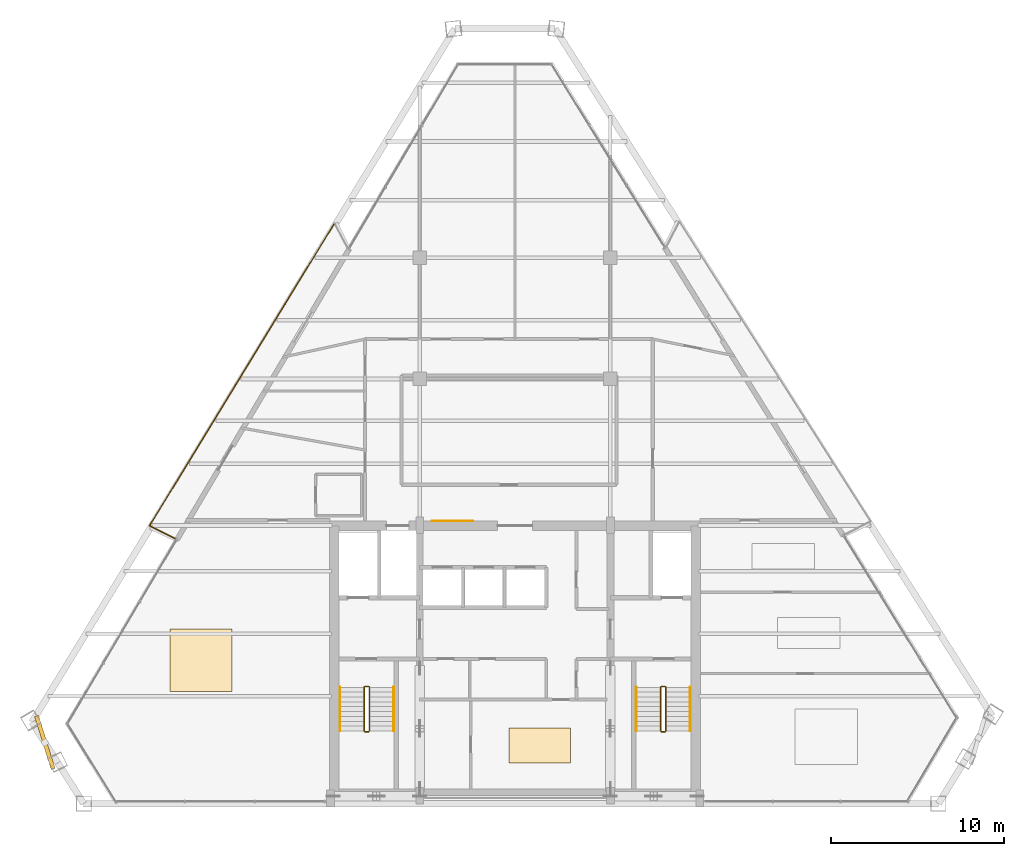
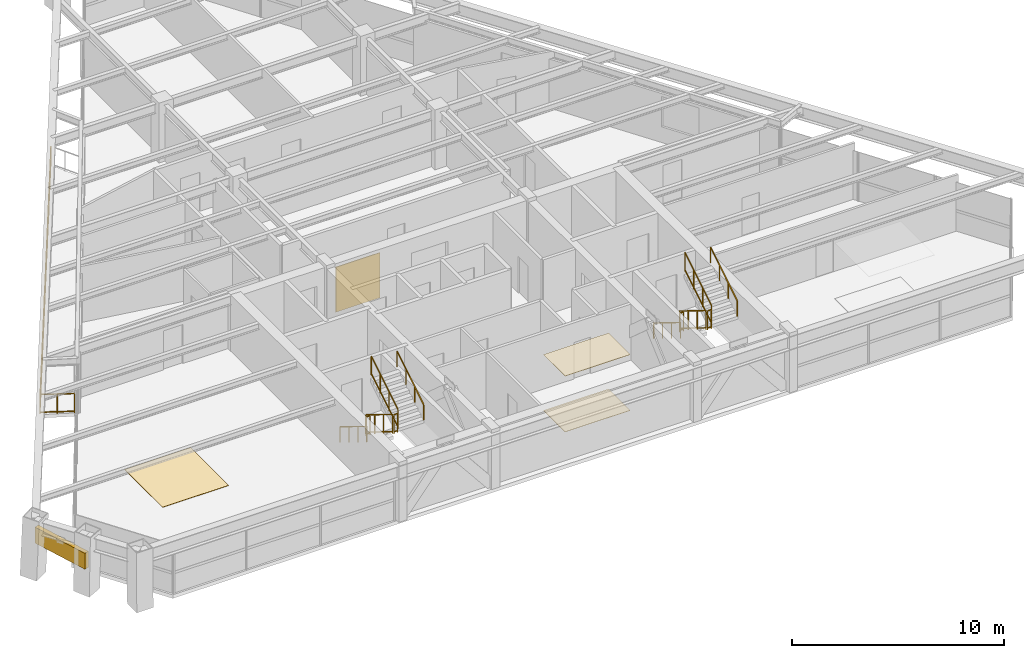
# One storey, part 11 of 12: 14 railings, 4 coverings, 1 shading device.
"""IFC4 building model written with IfcOpenShell, lengths in metres."""

from ifc_helpers import new_model, si_unit, direction, frame, origin, origin_2d, place, context, subcontext, project, spatial, rectangle, extrude, source, transform, mapped, material, layer, layer_set, type_object, type_shapes, element, save


model = new_model("IFC4")

# Units and contexts
model_context = context("Model", 3, precision=1e-05, world=origin(), true_north=direction((0.0, 1.0)))
body_context = subcontext(model_context, "Body", "Model", "MODEL_VIEW")
ifc_project = project(units=[si_unit("LENGTHUNIT", "METRE"), si_unit("AREAUNIT", "SQUARE_METRE"), si_unit("VOLUMEUNIT", "CUBIC_METRE"), si_unit("PLANEANGLEUNIT", "RADIAN"), si_unit("MASSUNIT", "GRAM", prefix="KILO")], contexts=[model_context])

# Site, building, storey
site_placement = place(None, origin())
site = spatial("IfcSite", under=ifc_project, at=site_placement, CompositionType="ELEMENT")
building_placement = place(site_placement, origin())
building = spatial("IfcBuilding", under=site, at=building_placement, Name="Varnakhor Terracotta Tower", CompositionType="ELEMENT")
storey_placement = place(building_placement, frame((0.0, 0.0, 233.800048828125)))
storey = spatial("IfcBuildingStorey", under=building, at=storey_placement, Name="L60", CompositionType="ELEMENT", Elevation=233.800048828125)

# Railings
ifc_material_1 = material(Name="Stainless Steel & Laminated Glass Guardrail", Category="steel")
railing_type_1 = type_object("IfcRailingType", Name="RLG-LOGGIA-GUARD-1150", PredefinedType="GUARDRAIL", material=ifc_material_1)
railing_1_placement = place(storey_placement, frame((-19.62939453125, 15.2900390625, 0.0)))
element("IfcRailing", 1, at=railing_1_placement, inside=storey, type_object=railing_type_1, Name="L60 W Loggia Glass Guard 1", PredefinedType="GUARDRAIL", context=body_context, shape_type="SweptSolid", body=[
    extrude(rectangle(XDim=0.048095703125, YDim=0.048095703125, at=origin_2d()), frame((0.0, 0.0, 1.1259765625), z_axis=(-0.890384865119, 0.455208514823, 0.0), x_axis=(-0.455208514823, -0.890384865119, 0.0)), (0.0, 0.0, 1.0), 1.633056640625),
    extrude(rectangle(XDim=0.048095703125, YDim=0.048095703125, at=origin_2d()), frame((0.0, 0.0, 0.10009765625), z_axis=(-0.890384865119, 0.455208514823, 0.0), x_axis=(-0.455208514823, -0.890384865119, 0.0)), (0.0, 0.0, 1.0), 1.633056640625),
    extrude(rectangle(XDim=0.0419921875, YDim=0.0419921875, at=origin_2d()), origin(), (0.0, 0.0, 1.0), 1.101806640625),
    extrude(rectangle(XDim=0.0419921875, YDim=0.0419921875, at=origin_2d()), frame((-0.72705078125, 0.37158203125, 0.0)), (0.0, 0.0, 1.0), 1.101806640625),
    extrude(rectangle(XDim=0.0419921875, YDim=0.0419921875, at=origin_2d()), frame((-1.4541015625, 0.743408203125, 0.0)), (0.0, 0.0, 1.0), 1.101806640625),
])
railing_2_placement = place(storey_placement, frame((-21.08349609375, 16.033447265625, 0.0)))
element("IfcRailing", 2, at=railing_2_placement, inside=storey, type_object=railing_type_1, Name="L60 W Loggia Glass Guard 2", PredefinedType="GUARDRAIL", context=body_context, shape_type="SweptSolid", body=[
    extrude(rectangle(XDim=0.048095703125, YDim=0.048095703125, at=origin_2d()), frame((0.0, 0.0, 1.1259765625), z_axis=(0.521491543946, 0.853256450074, 0.0), x_axis=(-0.853256450074, 0.521491543946, 0.0)), (0.0, 0.0, 1.0), 20.447265625),
    extrude(rectangle(XDim=0.048095703125, YDim=0.048095703125, at=origin_2d()), frame((0.0, 0.0, 0.10009765625), z_axis=(0.521491543946, 0.853256450074, 0.0), x_axis=(-0.853256450074, 0.521491543946, 0.0)), (0.0, 0.0, 1.0), 20.447265625),
    extrude(rectangle(XDim=0.0419921875, YDim=0.0419921875, at=origin_2d()), origin(), (0.0, 0.0, 1.0), 1.101806640625),
    extrude(rectangle(XDim=0.0419921875, YDim=0.0419921875, at=origin_2d()), frame((0.7109375, 1.1630859375, 0.0)), (0.0, 0.0, 1.0), 1.101806640625),
    extrude(rectangle(XDim=0.0419921875, YDim=0.0419921875, at=origin_2d()), frame((1.421630859375, 2.326171875, 0.0)), (0.0, 0.0, 1.0), 1.101806640625),
    extrude(rectangle(XDim=0.0419921875, YDim=0.0419921875, at=origin_2d()), frame((2.132568359375, 3.4892578125, 0.0)), (0.0, 0.0, 1.0), 1.101806640625),
    extrude(rectangle(XDim=0.0419921875, YDim=0.0419921875, at=origin_2d()), frame((2.843505859375, 4.652587890625, 0.0)), (0.0, 0.0, 1.0), 1.101806640625),
    extrude(rectangle(XDim=0.0419921875, YDim=0.0419921875, at=origin_2d()), frame((3.554443359375, 5.815673828125, 0.0)), (0.0, 0.0, 1.0), 1.101806640625),
    extrude(rectangle(XDim=0.0419921875, YDim=0.0419921875, at=origin_2d()), frame((4.26513671875, 6.978759765625, 0.0)), (0.0, 0.0, 1.0), 1.101806640625),
    extrude(rectangle(XDim=0.0419921875, YDim=0.0419921875, at=origin_2d()), frame((4.97607421875, 8.141845703125, 0.0)), (0.0, 0.0, 1.0), 1.101806640625),
    extrude(rectangle(XDim=0.0419921875, YDim=0.0419921875, at=origin_2d()), frame((5.68701171875, 9.304931640625, 0.0)), (0.0, 0.0, 1.0), 1.101806640625),
    extrude(rectangle(XDim=0.0419921875, YDim=0.0419921875, at=origin_2d()), frame((6.39794921875, 10.468017578125, 0.0)), (0.0, 0.0, 1.0), 1.101806640625),
    extrude(rectangle(XDim=0.0419921875, YDim=0.0419921875, at=origin_2d()), frame((7.108642578125, 11.631103515625, 0.0)), (0.0, 0.0, 1.0), 1.101806640625),
    extrude(rectangle(XDim=0.0419921875, YDim=0.0419921875, at=origin_2d()), frame((7.819580078125, 12.794189453125, 0.0)), (0.0, 0.0, 1.0), 1.101806640625),
    extrude(rectangle(XDim=0.0419921875, YDim=0.0419921875, at=origin_2d()), frame((8.530517578125, 13.95751953125, 0.0)), (0.0, 0.0, 1.0), 1.101806640625),
    extrude(rectangle(XDim=0.0419921875, YDim=0.0419921875, at=origin_2d()), frame((9.241455078125, 15.12060546875, 0.0)), (0.0, 0.0, 1.0), 1.101806640625),
    extrude(rectangle(XDim=0.0419921875, YDim=0.0419921875, at=origin_2d()), frame((9.9521484375, 16.28369140625, 0.0)), (0.0, 0.0, 1.0), 1.101806640625),
    extrude(rectangle(XDim=0.0419921875, YDim=0.0419921875, at=origin_2d()), frame((10.6630859375, 17.44677734375, 0.0)), (0.0, 0.0, 1.0), 1.101806640625),
])
ifc_material_2 = material(Name="Painted Steel Stairwell Guardrail", Category="steel")
railing_type_2 = type_object("IfcRailingType", Name="RLG-STAIR-GUARD-1120", PredefinedType="GUARDRAIL", material=ifc_material_2)
railing_3_placement = place(storey_placement, frame((-8.699951171875, 6.7099609375, 0.17236328125)))
element("IfcRailing", 3, at=railing_3_placement, inside=storey, type_object=railing_type_2, Name="L60 ST-1 stair guard 1", PredefinedType="GUARDRAIL", context=body_context, shape_type="SweptSolid", body=[
    extrude(rectangle(XDim=0.048095703125, YDim=0.048095703125, at=origin_2d()), frame((0.0, 0.0, 1.09619140625), z_axis=(0.0, -0.851400495292, 0.524516154772), x_axis=(1.0, 0.0, 0.0)), (0.0, 0.0, 1.0), 2.9599609375),
    extrude(rectangle(XDim=0.048095703125, YDim=0.048095703125, at=origin_2d()), frame((0.0, 0.0, 0.10009765625), z_axis=(0.0, -0.851400495292, 0.524516154772), x_axis=(1.0, 0.0, 0.0)), (0.0, 0.0, 1.0), 2.9599609375),
    extrude(rectangle(XDim=0.0419921875, YDim=0.0419921875, at=origin_2d()), origin(), (0.0, 0.0, 1.0), 1.072021484375),
    extrude(rectangle(XDim=0.0419921875, YDim=0.0419921875, at=origin_2d()), frame((0.0, -0.840087890625, 0.517578125)), (0.0, 0.0, 1.0), 1.072021484375),
    extrude(rectangle(XDim=0.0419921875, YDim=0.0419921875, at=origin_2d()), frame((0.0, -1.679931640625, 1.034912109375)), (0.0, 0.0, 1.0), 1.072021484375),
    extrude(rectangle(XDim=0.0419921875, YDim=0.0419921875, at=origin_2d()), frame((0.0, -2.52001953125, 1.552490234375)), (0.0, 0.0, 1.0), 1.072021484375),
])
railing_4_placement = place(storey_placement, frame((-8.64990234375, 4.139892578125, 1.724853515625)))
element("IfcRailing", 4, at=railing_4_placement, inside=storey, type_object=railing_type_2, Name="L60 ST-1 stair guard 2", PredefinedType="GUARDRAIL", context=body_context, shape_type="SweptSolid", body=[
    extrude(rectangle(XDim=0.048095703125, YDim=0.048095703125, at=origin_2d()), frame((0.0, 0.0, 1.09619140625), z_axis=(1.0, 0.0, 0.0), x_axis=(0.0, 1.0, 0.0)), (0.0, 0.0, 1.0), 0.199951171875),
    extrude(rectangle(XDim=0.048095703125, YDim=0.048095703125, at=origin_2d()), frame((0.0, 0.0, 0.10009765625), z_axis=(1.0, 0.0, 0.0), x_axis=(0.0, 1.0, 0.0)), (0.0, 0.0, 1.0), 0.199951171875),
    extrude(rectangle(XDim=0.0419921875, YDim=0.0419921875, at=origin_2d()), origin(), (0.0, 0.0, 1.0), 1.072021484375),
    extrude(rectangle(XDim=0.0419921875, YDim=0.0419921875, at=origin_2d()), frame((0.199951171875, 0.0, 0.0)), (0.0, 0.0, 1.0), 1.072021484375),
])
railing_5_placement = place(storey_placement, frame((-8.39990234375, 4.18994140625, 1.8974609375)))
element("IfcRailing", 5, at=railing_5_placement, inside=storey, type_object=railing_type_2, Name="L60 ST-1 stair guard 3", PredefinedType="GUARDRAIL", context=body_context, shape_type="SweptSolid", body=[
    extrude(rectangle(XDim=0.048095703125, YDim=0.048095703125, at=origin_2d()), frame((0.0, 0.0, 1.09619140625), z_axis=(0.0, 0.851400495292, 0.524516154772), x_axis=(-1.0, 0.0, 0.0)), (0.0, 0.0, 1.0), 2.9599609375),
    extrude(rectangle(XDim=0.048095703125, YDim=0.048095703125, at=origin_2d()), frame((0.0, 0.0, 0.10009765625), z_axis=(0.0, 0.851400495292, 0.524516154772), x_axis=(-1.0, 0.0, 0.0)), (0.0, 0.0, 1.0), 2.9599609375),
    extrude(rectangle(XDim=0.0419921875, YDim=0.0419921875, at=origin_2d()), origin(), (0.0, 0.0, 1.0), 1.072021484375),
    extrude(rectangle(XDim=0.0419921875, YDim=0.0419921875, at=origin_2d()), frame((0.0, 0.840087890625, 0.517578125)), (0.0, 0.0, 1.0), 1.072021484375),
    extrude(rectangle(XDim=0.0419921875, YDim=0.0419921875, at=origin_2d()), frame((0.0, 1.679931640625, 1.034912109375)), (0.0, 0.0, 1.0), 1.072021484375),
    extrude(rectangle(XDim=0.0419921875, YDim=0.0419921875, at=origin_2d()), frame((0.0, 2.52001953125, 1.552490234375)), (0.0, 0.0, 1.0), 1.072021484375),
])
railing_6_placement = place(storey_placement, frame((-8.64990234375, 6.760009765625, 0.0)))
element("IfcRailing", 6, at=railing_6_placement, inside=storey, type_object=railing_type_2, Name="L60 ST-1 stair guard 4", PredefinedType="GUARDRAIL", context=body_context, shape_type="SweptSolid", body=[
    extrude(rectangle(XDim=0.048095703125, YDim=0.048095703125, at=origin_2d()), frame((0.0, 0.0, 1.09619140625), z_axis=(1.0, 0.0, 0.0), x_axis=(0.0, 1.0, 0.0)), (0.0, 0.0, 1.0), 0.199951171875),
    extrude(rectangle(XDim=0.048095703125, YDim=0.048095703125, at=origin_2d()), frame((0.0, 0.0, 0.10009765625), z_axis=(1.0, 0.0, 0.0), x_axis=(0.0, 1.0, 0.0)), (0.0, 0.0, 1.0), 0.199951171875),
    extrude(rectangle(XDim=0.0419921875, YDim=0.0419921875, at=origin_2d()), origin(), (0.0, 0.0, 1.0), 1.072021484375),
    extrude(rectangle(XDim=0.0419921875, YDim=0.0419921875, at=origin_2d()), frame((0.199951171875, 0.0, 0.0)), (0.0, 0.0, 1.0), 1.072021484375),
])
railing_7_placement = place(storey_placement, frame((8.39990234375, 6.7099609375, 0.17236328125)))
element("IfcRailing", 7, at=railing_7_placement, inside=storey, type_object=railing_type_2, Name="L60 ST-2 stair guard 1", PredefinedType="GUARDRAIL", context=body_context, shape_type="SweptSolid", body=[
    extrude(rectangle(XDim=0.048095703125, YDim=0.048095703125, at=origin_2d()), frame((0.0, 0.0, 1.09619140625), z_axis=(0.0, -0.851400495292, 0.524516154772), x_axis=(1.0, 0.0, 0.0)), (0.0, 0.0, 1.0), 2.9599609375),
    extrude(rectangle(XDim=0.048095703125, YDim=0.048095703125, at=origin_2d()), frame((0.0, 0.0, 0.10009765625), z_axis=(0.0, -0.851400495292, 0.524516154772), x_axis=(1.0, 0.0, 0.0)), (0.0, 0.0, 1.0), 2.9599609375),
    extrude(rectangle(XDim=0.0419921875, YDim=0.0419921875, at=origin_2d()), origin(), (0.0, 0.0, 1.0), 1.072021484375),
    extrude(rectangle(XDim=0.0419921875, YDim=0.0419921875, at=origin_2d()), frame((0.0, -0.840087890625, 0.517578125)), (0.0, 0.0, 1.0), 1.072021484375),
    extrude(rectangle(XDim=0.0419921875, YDim=0.0419921875, at=origin_2d()), frame((0.0, -1.679931640625, 1.034912109375)), (0.0, 0.0, 1.0), 1.072021484375),
    extrude(rectangle(XDim=0.0419921875, YDim=0.0419921875, at=origin_2d()), frame((0.0, -2.52001953125, 1.552490234375)), (0.0, 0.0, 1.0), 1.072021484375),
])
railing_8_placement = place(storey_placement, frame((8.449951171875, 4.139892578125, 1.724853515625)))
element("IfcRailing", 8, at=railing_8_placement, inside=storey, type_object=railing_type_2, Name="L60 ST-2 stair guard 2", PredefinedType="GUARDRAIL", context=body_context, shape_type="SweptSolid", body=[
    extrude(rectangle(XDim=0.048095703125, YDim=0.048095703125, at=origin_2d()), frame((0.0, 0.0, 1.09619140625), z_axis=(1.0, 0.0, 0.0), x_axis=(0.0, 1.0, 0.0)), (0.0, 0.0, 1.0), 0.199951171875),
    extrude(rectangle(XDim=0.048095703125, YDim=0.048095703125, at=origin_2d()), frame((0.0, 0.0, 0.10009765625), z_axis=(1.0, 0.0, 0.0), x_axis=(0.0, 1.0, 0.0)), (0.0, 0.0, 1.0), 0.199951171875),
    extrude(rectangle(XDim=0.0419921875, YDim=0.0419921875, at=origin_2d()), origin(), (0.0, 0.0, 1.0), 1.072021484375),
    extrude(rectangle(XDim=0.0419921875, YDim=0.0419921875, at=origin_2d()), frame((0.199951171875, 0.0, 0.0)), (0.0, 0.0, 1.0), 1.072021484375),
])
railing_9_placement = place(storey_placement, frame((8.699951171875, 4.18994140625, 1.8974609375)))
element("IfcRailing", 9, at=railing_9_placement, inside=storey, type_object=railing_type_2, Name="L60 ST-2 stair guard 3", PredefinedType="GUARDRAIL", context=body_context, shape_type="SweptSolid", body=[
    extrude(rectangle(XDim=0.048095703125, YDim=0.048095703125, at=origin_2d()), frame((0.0, 0.0, 1.09619140625), z_axis=(0.0, 0.851400495292, 0.524516154772), x_axis=(-1.0, 0.0, 0.0)), (0.0, 0.0, 1.0), 2.9599609375),
    extrude(rectangle(XDim=0.048095703125, YDim=0.048095703125, at=origin_2d()), frame((0.0, 0.0, 0.10009765625), z_axis=(0.0, 0.851400495292, 0.524516154772), x_axis=(-1.0, 0.0, 0.0)), (0.0, 0.0, 1.0), 2.9599609375),
    extrude(rectangle(XDim=0.0419921875, YDim=0.0419921875, at=origin_2d()), origin(), (0.0, 0.0, 1.0), 1.072021484375),
    extrude(rectangle(XDim=0.0419921875, YDim=0.0419921875, at=origin_2d()), frame((0.0, 0.840087890625, 0.517578125)), (0.0, 0.0, 1.0), 1.072021484375),
    extrude(rectangle(XDim=0.0419921875, YDim=0.0419921875, at=origin_2d()), frame((0.0, 1.679931640625, 1.034912109375)), (0.0, 0.0, 1.0), 1.072021484375),
    extrude(rectangle(XDim=0.0419921875, YDim=0.0419921875, at=origin_2d()), frame((0.0, 2.52001953125, 1.552490234375)), (0.0, 0.0, 1.0), 1.072021484375),
])
railing_10_placement = place(storey_placement, frame((8.449951171875, 6.760009765625, 0.0)))
element("IfcRailing", 10, at=railing_10_placement, inside=storey, type_object=railing_type_2, Name="L60 ST-2 stair guard 4", PredefinedType="GUARDRAIL", context=body_context, shape_type="SweptSolid", body=[
    extrude(rectangle(XDim=0.048095703125, YDim=0.048095703125, at=origin_2d()), frame((0.0, 0.0, 1.09619140625), z_axis=(1.0, 0.0, 0.0), x_axis=(0.0, 1.0, 0.0)), (0.0, 0.0, 1.0), 0.199951171875),
    extrude(rectangle(XDim=0.048095703125, YDim=0.048095703125, at=origin_2d()), frame((0.0, 0.0, 0.10009765625), z_axis=(1.0, 0.0, 0.0), x_axis=(0.0, 1.0, 0.0)), (0.0, 0.0, 1.0), 0.199951171875),
    extrude(rectangle(XDim=0.0419921875, YDim=0.0419921875, at=origin_2d()), origin(), (0.0, 0.0, 1.0), 1.072021484375),
    extrude(rectangle(XDim=0.0419921875, YDim=0.0419921875, at=origin_2d()), frame((0.199951171875, 0.0, 0.0)), (0.0, 0.0, 1.0), 1.072021484375),
])
ifc_material_3 = material(Name="Brushed Stainless Steel Handrail", Category="steel")
railing_type_3 = type_object("IfcRailingType", Name="RLG-STAIR-HANDRAIL-920", PredefinedType="HANDRAIL", material=ifc_material_3)
railing_11_placement = place(storey_placement, frame((-10.10009765625, 6.7099609375, 0.17236328125)))
element("IfcRailing", 11, at=railing_11_placement, inside=storey, type_object=railing_type_3, Name="L60 ST-1 stair handrail 1", PredefinedType="HANDRAIL", context=body_context, shape_type="SweptSolid", body=[
    extrude(rectangle(XDim=0.048095703125, YDim=0.048095703125, at=origin_2d()), frame((0.0, 0.0, 0.89599609375), z_axis=(0.0, -0.851400495292, 0.524516154772), x_axis=(1.0, 0.0, 0.0)), (0.0, 0.0, 1.0), 2.9599609375),
    extrude(rectangle(XDim=0.0419921875, YDim=0.0419921875, at=origin_2d()), origin(), (0.0, 0.0, 1.0), 0.871826171875),
    extrude(rectangle(XDim=0.0419921875, YDim=0.0419921875, at=origin_2d()), frame((0.0, -0.840087890625, 0.517578125)), (0.0, 0.0, 1.0), 0.871826171875),
    extrude(rectangle(XDim=0.0419921875, YDim=0.0419921875, at=origin_2d()), frame((0.0, -1.679931640625, 1.034912109375)), (0.0, 0.0, 1.0), 0.871826171875),
    extrude(rectangle(XDim=0.0419921875, YDim=0.0419921875, at=origin_2d()), frame((0.0, -2.52001953125, 1.552490234375)), (0.0, 0.0, 1.0), 0.871826171875),
])
railing_12_placement = place(storey_placement, frame((-7.0, 4.18994140625, 1.8974609375)))
element("IfcRailing", 12, at=railing_12_placement, inside=storey, type_object=railing_type_3, Name="L60 ST-1 stair handrail 2", PredefinedType="HANDRAIL", context=body_context, shape_type="SweptSolid", body=[
    extrude(rectangle(XDim=0.048095703125, YDim=0.048095703125, at=origin_2d()), frame((0.0, 0.0, 0.89599609375), z_axis=(0.0, 0.851400495292, 0.524516154772), x_axis=(-1.0, 0.0, 0.0)), (0.0, 0.0, 1.0), 2.9599609375),
    extrude(rectangle(XDim=0.0419921875, YDim=0.0419921875, at=origin_2d()), origin(), (0.0, 0.0, 1.0), 0.871826171875),
    extrude(rectangle(XDim=0.0419921875, YDim=0.0419921875, at=origin_2d()), frame((0.0, 0.840087890625, 0.517578125)), (0.0, 0.0, 1.0), 0.871826171875),
    extrude(rectangle(XDim=0.0419921875, YDim=0.0419921875, at=origin_2d()), frame((0.0, 1.679931640625, 1.034912109375)), (0.0, 0.0, 1.0), 0.871826171875),
    extrude(rectangle(XDim=0.0419921875, YDim=0.0419921875, at=origin_2d()), frame((0.0, 2.52001953125, 1.552490234375)), (0.0, 0.0, 1.0), 0.871826171875),
])
railing_13_placement = place(storey_placement, frame((7.0, 6.7099609375, 0.17236328125)))
element("IfcRailing", 13, at=railing_13_placement, inside=storey, type_object=railing_type_3, Name="L60 ST-2 stair handrail 1", PredefinedType="HANDRAIL", context=body_context, shape_type="SweptSolid", body=[
    extrude(rectangle(XDim=0.048095703125, YDim=0.048095703125, at=origin_2d()), frame((0.0, 0.0, 0.89599609375), z_axis=(0.0, -0.851400495292, 0.524516154772), x_axis=(1.0, 0.0, 0.0)), (0.0, 0.0, 1.0), 2.9599609375),
    extrude(rectangle(XDim=0.0419921875, YDim=0.0419921875, at=origin_2d()), origin(), (0.0, 0.0, 1.0), 0.871826171875),
    extrude(rectangle(XDim=0.0419921875, YDim=0.0419921875, at=origin_2d()), frame((0.0, -0.840087890625, 0.517578125)), (0.0, 0.0, 1.0), 0.871826171875),
    extrude(rectangle(XDim=0.0419921875, YDim=0.0419921875, at=origin_2d()), frame((0.0, -1.679931640625, 1.034912109375)), (0.0, 0.0, 1.0), 0.871826171875),
    extrude(rectangle(XDim=0.0419921875, YDim=0.0419921875, at=origin_2d()), frame((0.0, -2.52001953125, 1.552490234375)), (0.0, 0.0, 1.0), 0.871826171875),
])
railing_14_placement = place(storey_placement, frame((10.10009765625, 4.18994140625, 1.8974609375)))
element("IfcRailing", 14, at=railing_14_placement, inside=storey, type_object=railing_type_3, Name="L60 ST-2 stair handrail 2", PredefinedType="HANDRAIL", context=body_context, shape_type="SweptSolid", body=[
    extrude(rectangle(XDim=0.048095703125, YDim=0.048095703125, at=origin_2d()), frame((0.0, 0.0, 0.89599609375), z_axis=(0.0, 0.851400495292, 0.524516154772), x_axis=(-1.0, 0.0, 0.0)), (0.0, 0.0, 1.0), 2.9599609375),
    extrude(rectangle(XDim=0.0419921875, YDim=0.0419921875, at=origin_2d()), origin(), (0.0, 0.0, 1.0), 0.871826171875),
    extrude(rectangle(XDim=0.0419921875, YDim=0.0419921875, at=origin_2d()), frame((0.0, 0.840087890625, 0.517578125)), (0.0, 0.0, 1.0), 0.871826171875),
    extrude(rectangle(XDim=0.0419921875, YDim=0.0419921875, at=origin_2d()), frame((0.0, 1.679931640625, 1.034912109375)), (0.0, 0.0, 1.0), 0.871826171875),
    extrude(rectangle(XDim=0.0419921875, YDim=0.0419921875, at=origin_2d()), frame((0.0, 2.52001953125, 1.552490234375)), (0.0, 0.0, 1.0), 0.871826171875),
])

# Shading device
ifc_material_4 = material(Name="Extruded Architectural Terracotta Screen", Category="masonry")
shading_device_type = type_object("IfcShadingDeviceType", Name="TERRACOTTA SOLAR SCREEN W", PredefinedType="USERDEFINED", material=ifc_material_4)
shared_shape_1 = source(origin(), body_context, "Body", "SweptSolid", [
    extrude(rectangle(XDim=3.199951171875, YDim=0.239990234375, at=origin_2d()), origin(), (0.0, 0.0, 1.0), 0.919921875),
])
type_shapes(shading_device_type, [shared_shape_1])
shading_device_placement = place(storey_placement, frame((-27.1259765625, 3.523193359375, 1.56201171875), z_axis=(0.0, 0.0, 1.0), x_axis=(0.29990671003, -0.953968534743, 0.0)))
element("IfcShadingDevice", 15, at=shading_device_placement, inside=storey, type_object=shading_device_type, Name="L60 W Terracotta Solar Screen", ObjectType="SCREEN", PredefinedType="USERDEFINED", context=body_context, shape_type="MappedRepresentation", body=[
    mapped(shared_shape_1, transform((0.0, 0.0, 0.0), scale=1.0)),
])

# Coverings
ifc_material_5 = material(Name="Extruded Architectural Terracotta Cladding", Category="masonry")
ifc_layer_1 = layer(ifc_material_5, 0.044921875, Name="Extruded Architectural Terracotta Cladding")
ifc_layer_set_1 = layer_set([ifc_layer_1], Name="Extruded Architectural Terracotta Cladding")
covering_type_1 = type_object("IfcCoveringType", Name="COV-CLAD-TERRACOTTA", PredefinedType="CLADDING", material=ifc_layer_set_1)
shared_shape_2 = source(origin(), body_context, "Body", "SweptSolid", [
    extrude(rectangle(XDim=2.39990234375, YDim=0.030029296875, at=origin_2d()), origin(), (0.0, 0.0, 1.0), 2.60009765625),
])
type_shapes(covering_type_1, [shared_shape_2])
covering_1_placement = place(storey_placement, frame((-3.60009765625, 16.31201171875, 0.0), z_axis=(0.0, 0.0, 1.0), x_axis=(1.0, 0.0, 0.0)))
element("IfcCovering", 16, at=covering_1_placement, inside=storey, type_object=covering_type_1, Name="L60 Core Lobby Limestone Cladding", PredefinedType="CLADDING", context=body_context, shape_type="MappedRepresentation", body=[
    mapped(shared_shape_2, transform((0.0, 0.0, 0.0), scale=1.0)),
])
ifc_material_6 = material(Name="Honed Riyadh Limestone Flooring", Category="masonry")
ifc_layer_2 = layer(ifc_material_6, 0.030029296875, Name="Honed Riyadh Limestone Flooring")
ifc_layer_set_2 = layer_set([ifc_layer_2], Name="Honed Riyadh Limestone Flooring")
covering_type_2 = type_object("IfcCoveringType", Name="COV-FLOOR-LIMESTONE", PredefinedType="FLOORING", material=ifc_layer_set_2)
shared_shape_3 = source(origin(), body_context, "Body", "SweptSolid", [
    extrude(rectangle(XDim=3.60009765625, YDim=3.60009765625, at=origin_2d()), origin(), (0.0, 0.0, 1.0), 0.02001953125),
])
covering_2_placement = place(storey_placement, frame((-18.12109375, 8.26611328125, 0.0), z_axis=(0.0, 0.0, 1.0), x_axis=(1.0, 0.0, 0.0)))
element("IfcCovering", 17, at=covering_2_placement, inside=storey, type_object=covering_type_2, Name="L60 Honed Stone Flooring 3", PredefinedType="FLOORING", context=body_context, shape_type="MappedRepresentation", body=[
    mapped(shared_shape_3, transform((0.0, 0.0, 0.0), scale=1.0)),
])
shared_shape_4 = source(origin(), body_context, "Body", "SweptSolid", [
    extrude(rectangle(XDim=3.547119140625, YDim=2.041015625, at=origin_2d()), origin(), (0.0, 0.0, 1.0), 0.02001953125),
])
covering_3_placement = place(storey_placement, frame((1.4150390625, 3.35498046875, 0.0), z_axis=(0.0, 0.0, 1.0), x_axis=(1.0, 0.0, 0.0)))
element("IfcCovering", 18, at=covering_3_placement, inside=storey, type_object=covering_type_2, Name="L60 Honed Stone Flooring 1", PredefinedType="FLOORING", context=body_context, shape_type="MappedRepresentation", body=[
    mapped(shared_shape_4, transform((0.0, 0.0, 0.0), scale=1.0)),
])
ifc_material_7 = material(Name="Perforated Acoustic Mineral-Fibre Ceiling", Category="gypsum")
ifc_layer_3 = layer(ifc_material_7, 0.02490234375, Name="Perforated Acoustic Mineral-Fibre Ceiling")
ifc_layer_set_3 = layer_set([ifc_layer_3], Name="Perforated Acoustic Mineral-Fibre Ceiling")
covering_type_3 = type_object("IfcCoveringType", Name="COV-CEILING-ACOUSTIC", PredefinedType="CEILING", material=ifc_layer_set_3)
shared_shape_5 = source(origin(), body_context, "Body", "SweptSolid", [
    extrude(rectangle(XDim=3.547119140625, YDim=2.041015625, at=origin_2d()), origin(), (0.0, 0.0, 1.0), 0.02392578125),
])
covering_4_placement = place(storey_placement, frame((1.4150390625, 3.35498046875, 3.216064453125), z_axis=(0.0, 0.0, 1.0), x_axis=(1.0, 0.0, 0.0)))
element("IfcCovering", 19, at=covering_4_placement, inside=storey, type_object=covering_type_3, Name="L60 Acoustic Ceiling Panel 1", PredefinedType="CEILING", context=body_context, shape_type="MappedRepresentation", body=[
    mapped(shared_shape_5, transform((0.0, 0.0, 0.0), scale=1.0)),
])

save(model, "model.ifc")
